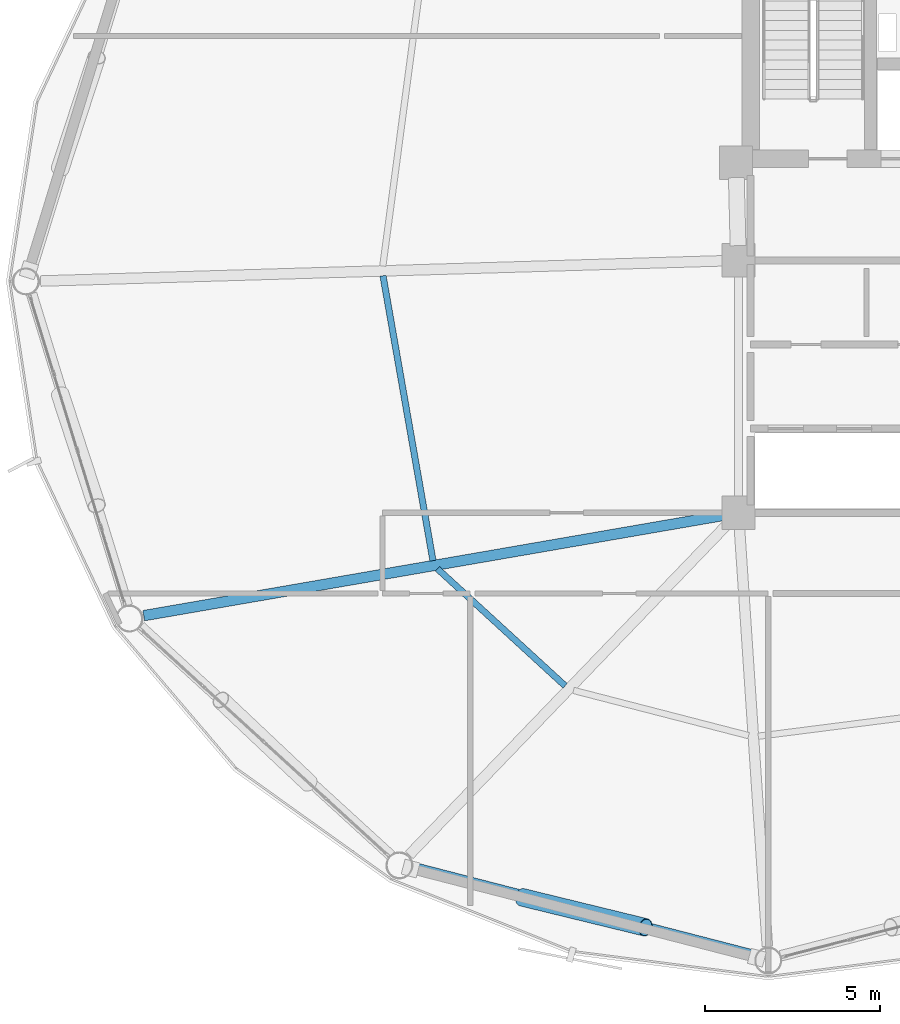
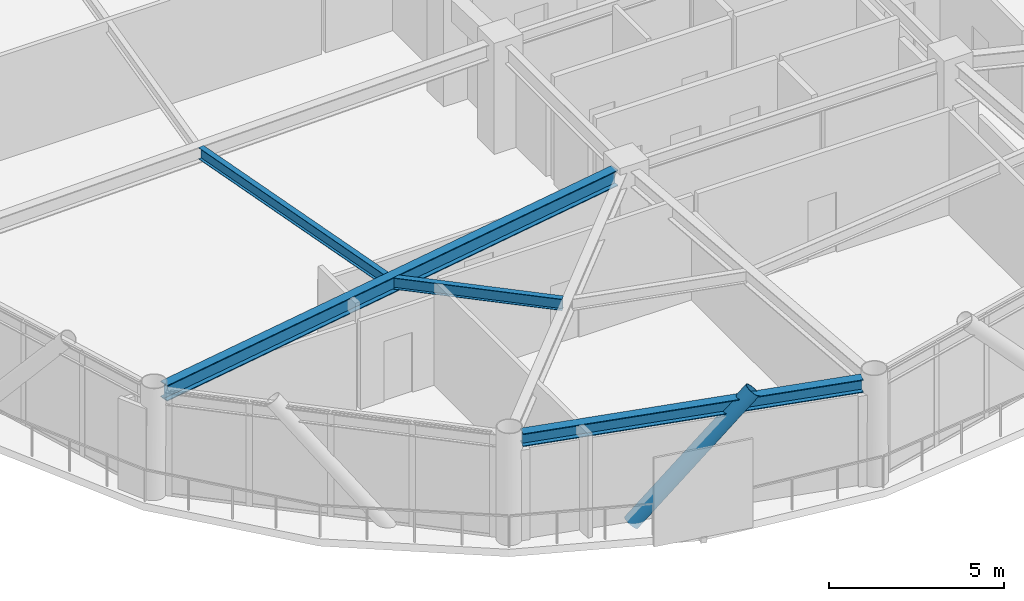
# One storey, part 5 of 25: 4 beams, 1 member.
"""IFC4 building model written with IfcOpenShell, lengths in metres."""

from ifc_helpers import new_model, si_unit, direction, frame, origin, origin_2d, place, context, subcontext, project, spatial, hollow_circle, i_section, extrude, material, material_profile, profile_set, type_object, element, save


model = new_model("IFC4")

# Units and contexts
model_context = context("Model", 3, precision=1e-05, world=origin(), true_north=direction((0.0, 1.0)))
body_context = subcontext(model_context, "Body", "Model", "MODEL_VIEW")
ifc_project = project(units=[si_unit("LENGTHUNIT", "METRE"), si_unit("AREAUNIT", "SQUARE_METRE"), si_unit("VOLUMEUNIT", "CUBIC_METRE"), si_unit("PLANEANGLEUNIT", "RADIAN"), si_unit("MASSUNIT", "GRAM", prefix="KILO")], contexts=[model_context])

# Site, building, storey
site_placement = place(None, origin())
site = spatial("IfcSite", under=ifc_project, at=site_placement, CompositionType="ELEMENT")
building_placement = place(site_placement, origin())
building = spatial("IfcBuilding", under=site, at=building_placement, Name="Varnakorn Sky Granary", CompositionType="ELEMENT")
storey_placement = place(building_placement, frame((0.0, 0.0, 126.60009765625)))
storey = spatial("IfcBuildingStorey", under=building, at=storey_placement, Name="L31", CompositionType="ELEMENT", Elevation=126.60009765625)

# Beams
ifc_material_1 = material(Name="Steel S355JR", Category="steel")
ifc_material_profile_1 = material_profile(ifc_material_1, i_section(OverallWidth=0.300048828125, OverallDepth=0.550048828125, WebThickness=0.014892578125, FlangeThickness=0.029052734375, at=origin_2d()), Name="HE 550 B")
ifc_profile_set_1 = profile_set([ifc_material_profile_1], Name="Steel S355JR")
beam_type_1 = type_object("IfcBeamType", Name="BM-RAD-Z3", PredefinedType="BEAM", material=ifc_profile_set_1)
beam_1_placement = place(storey_placement, frame((-2.763916015625, -6.671630859375, 3.364990234375), z_axis=(-0.985372768114, -0.170412757327, 0.0), x_axis=(0.170412757327, -0.985372768114, 0.0)))
element("IfcBeam", 1, at=beam_1_placement, inside=storey, type_object=beam_type_1, Name="Radial Floor Girder RG08 L31", PredefinedType="BEAM", context=body_context, shape_type="SweptSolid", body=[
    extrude(i_section(OverallWidth=0.300048828125, OverallDepth=0.550048828125, WebThickness=0.014892578125, FlangeThickness=0.029052734375, at=origin_2d()), origin(), (0.0, 0.0, 1.0), 16.7919921875),
])
ifc_material_profile_2 = material_profile(ifc_material_1, i_section(OverallWidth=0.179931640625, OverallDepth=0.39990234375, WebThickness=0.008544921875, FlangeThickness=0.013427734375, at=origin_2d()), Name="IPE 400")
ifc_profile_set_2 = profile_set([ifc_material_profile_2], Name="Steel S355JR")
beam_type_2 = type_object("IfcBeamType", Name="BM-SEC-Z3", PredefinedType="BEAM", material=ifc_profile_set_2)
beam_2_placement = place(storey_placement, frame((-12.486328125, 0.161376953125, 3.43994140625), z_axis=(0.172733496775, -0.984968598023, 0.0), x_axis=(0.984968598023, 0.172733496775, 0.0)))
element("IfcBeam", 2, at=beam_2_placement, inside=storey, type_object=beam_type_2, Name="Secondary Floor Chord Beam MSB07 L31", PredefinedType="BEAM", context=body_context, shape_type="SweptSolid", body=[
    extrude(i_section(OverallWidth=0.179931640625, OverallDepth=0.39990234375, WebThickness=0.008544921875, FlangeThickness=0.013427734375, at=origin_2d()), origin(), (0.0, 0.0, 1.0), 8.25),
])
beam_3_placement = place(storey_placement, frame((-10.933837890625, -8.197021484375, 3.43994140625), z_axis=(0.737156191752, -0.675722390455, 0.0), x_axis=(0.675722390455, 0.737156191752, 0.0)))
element("IfcBeam", 3, at=beam_3_placement, inside=storey, type_object=beam_type_2, Name="Secondary Floor Chord Beam MSB08 L31", PredefinedType="BEAM", context=body_context, shape_type="SweptSolid", body=[
    extrude(i_section(OverallWidth=0.179931640625, OverallDepth=0.39990234375, WebThickness=0.008544921875, FlangeThickness=0.013427734375, at=origin_2d()), origin(), (0.0, 0.0, 1.0), 4.939697265625),
])
ifc_material_profile_3 = material_profile(ifc_material_1, i_section(OverallWidth=0.300048828125, OverallDepth=0.449951171875, WebThickness=0.013916015625, FlangeThickness=0.02587890625, at=origin_2d()), Name="HE 450 B")
ifc_profile_set_3 = profile_set([ifc_material_profile_3], Name="Steel S355JR")
beam_type_3 = type_object("IfcBeamType", Name="BM-SPD-Z3", PredefinedType="SPANDREL", material=ifc_profile_set_3)
beam_4_placement = place(storey_placement, frame((-11.63671875, -16.711181640625, 3.414794921875), z_axis=(0.968301462066, -0.249784464209, 0.0), x_axis=(0.249784464209, 0.968301462066, 0.0)))
element("IfcBeam", 4, at=beam_4_placement, inside=storey, type_object=beam_type_3, Name="Perimeter Spandrel Ring Beam RB09 L31", PredefinedType="SPANDREL", context=body_context, shape_type="SweptSolid", body=[
    extrude(i_section(OverallWidth=0.300048828125, OverallDepth=0.449951171875, WebThickness=0.013916015625, FlangeThickness=0.02587890625, at=origin_2d()), origin(), (0.0, 0.0, 1.0), 10.1025390625),
])

# Member
ifc_material_2 = material(Name="Steel S460M", Category="steel")
ifc_material_profile_4 = material_profile(ifc_material_2, hollow_circle(Radius=0.25390625, WallThickness=0.01806640625, at=origin_2d()), Name="CHS 508x18")
ifc_profile_set_4 = profile_set([ifc_material_profile_4], Name="Steel S460M")
member_type = type_object("IfcMemberType", Name="MB-DIAG-T2", PredefinedType="BRACE", material=ifc_profile_set_4)
member_placement = place(storey_placement, frame((-8.51611328125, -17.565673828125, -0.130126953125), z_axis=(0.659335647816, -0.160831423458, 0.734445203367), x_axis=(0.23698100599, 0.971514283374, 0.0)))
element("IfcMember", 5, at=member_placement, inside=storey, type_object=member_type, Name="Perimeter CHS Diagrid Brace DG09 L31", PredefinedType="BRACE", context=body_context, shape_type="SweptSolid", body=[
    extrude(hollow_circle(Radius=0.25390625, WallThickness=0.01806640625, at=origin_2d()), origin(), (0.0, 0.0, 1.0), 5.337158203125),
])

save(model, "model.ifc")
